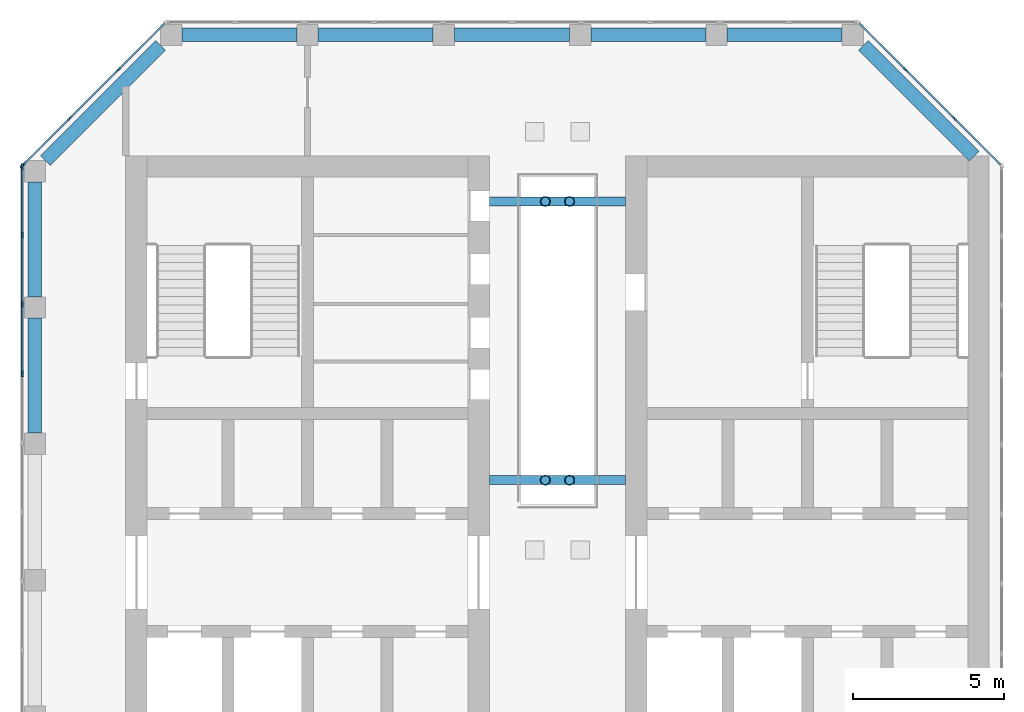
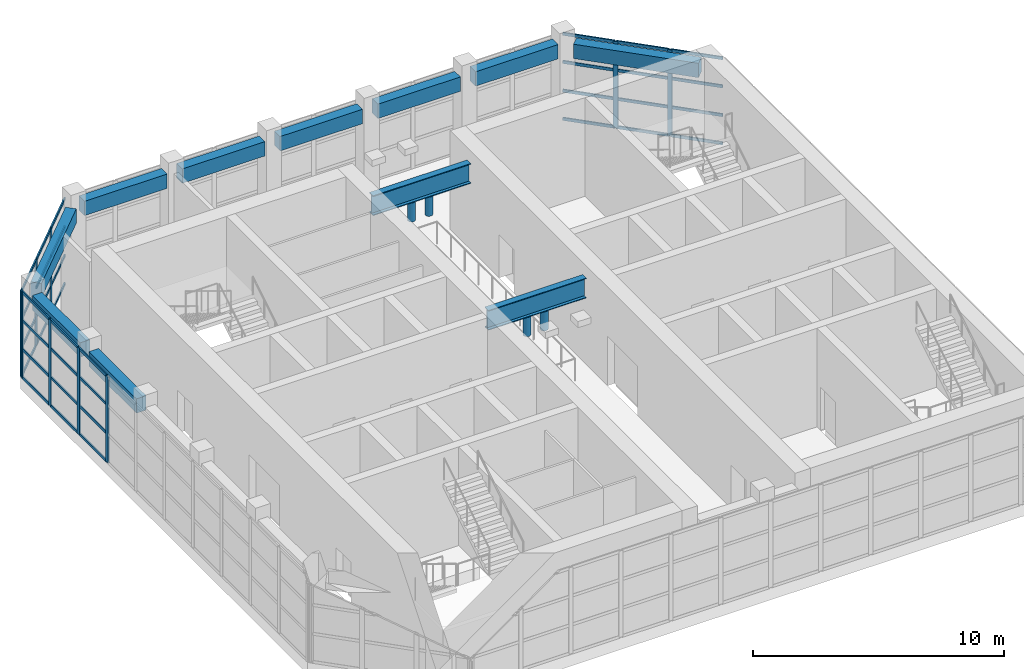
# One storey, part 4 of 13: 49 members, 11 beams, 3 elements without a shape of their own.
"""IFC4 building model written with IfcOpenShell, lengths in metres."""

from ifc_helpers import new_model, si_unit, direction, frame, origin, origin_2d, place, context, subcontext, project, spatial, rectangle, hollow_circle, i_section, extrude, material, material_profile, profile_set, type_object, element, aggregate, save


model = new_model("IFC4")

# Units and contexts
model_context = context("Model", 3, precision=1e-05, world=origin(), true_north=direction((0.0, 1.0)))
body_context = subcontext(model_context, "Body", "Model", "MODEL_VIEW")
ifc_project = project(units=[si_unit("LENGTHUNIT", "METRE"), si_unit("AREAUNIT", "SQUARE_METRE"), si_unit("VOLUMEUNIT", "CUBIC_METRE"), si_unit("PLANEANGLEUNIT", "RADIAN"), si_unit("MASSUNIT", "GRAM", prefix="KILO")], contexts=[model_context])

# Site, building, storey
site_placement = place(None, origin())
site = spatial("IfcSite", under=ifc_project, at=site_placement, CompositionType="ELEMENT")
building_placement = place(site_placement, origin())
building = spatial("IfcBuilding", under=site, at=building_placement, Name="Corbel Stack Research Tower", CompositionType="ELEMENT")
storey_placement = place(building_placement, frame((0.0, 0.0, 316.60009765625)))
storey = spatial("IfcBuildingStorey", under=building, at=storey_placement, Name="L71", CompositionType="ELEMENT", Elevation=316.60009765625)

# Curtain wall, members
ifc_material_1 = material(Name="Aluminium and glass", Category="aluminium")
curtain_wall_type = type_object("IfcCurtainWallType", Name="CW4C damper hall glazing wall, corner", PredefinedType="NOTDEFINED", material=ifc_material_1)
curtain_wall_1_placement = place(storey_placement, origin())
curtain_wall_1 = element("IfcCurtainWall", 1, at=curtain_wall_1_placement, inside=storey, type_object=curtain_wall_type, Name="Damper hall curtain wall L71 2", PredefinedType="NOTDEFINED")
ifc_material_2 = material(Name="Aluminium, anodised", Category="aluminium")
ifc_material_profile_1 = material_profile(ifc_material_2, rectangle(XDim=0.06005859375, YDim=0.199951171875, at=origin_2d()), Name="CW4 mullion 60 x 200")
ifc_profile_set_1 = profile_set([ifc_material_profile_1], Name="Aluminium, anodised")
member_type_1 = type_object("IfcMemberType", Name="CW4 mullion 60 x 200", PredefinedType="MULLION", material=ifc_profile_set_1)
member_1_placement = place(storey_placement, frame((-13.919921875, 11.319580078125, 0.0), z_axis=(0.0, 0.0, 1.0), x_axis=(-1.0, 0.0, 0.0)))
member_1 = element("IfcMember", 2, at=member_1_placement, type_object=member_type_1, Name="CW4C mullion 8", PredefinedType="MULLION", context=body_context, shape_type="SweptSolid", body=[
    extrude(rectangle(XDim=0.06005859375, YDim=0.199951171875, at=origin_2d()), origin(), (0.0, 0.0, 1.0), 4.199951171875),
])
member_2_placement = place(storey_placement, frame((-13.919921875, 13.6044921875, 0.0), z_axis=(0.0, 0.0, 1.0), x_axis=(-1.0, 0.0, 0.0)))
member_2 = element("IfcMember", 3, at=member_2_placement, type_object=member_type_1, Name="CW4C mullion 9", PredefinedType="MULLION", context=body_context, shape_type="SweptSolid", body=[
    extrude(rectangle(XDim=0.06005859375, YDim=0.199951171875, at=origin_2d()), origin(), (0.0, 0.0, 1.0), 4.199951171875),
])
member_3_placement = place(storey_placement, frame((-13.919921875, 15.88916015625, 0.0), z_axis=(0.0, 0.0, 1.0), x_axis=(-1.0, 0.0, 0.0)))
member_3 = element("IfcMember", 4, at=member_3_placement, type_object=member_type_1, Name="CW4C mullion 10", PredefinedType="MULLION", context=body_context, shape_type="SweptSolid", body=[
    extrude(rectangle(XDim=0.06005859375, YDim=0.199951171875, at=origin_2d()), origin(), (0.0, 0.0, 1.0), 4.199951171875),
])
member_4_placement = place(storey_placement, frame((-13.919921875, 18.14404296875, 0.0), z_axis=(0.0, 0.0, 1.0), x_axis=(-1.0, 0.0, 0.0)))
member_4 = element("IfcMember", 5, at=member_4_placement, type_object=member_type_1, Name="CW4C mullion 11", PredefinedType="MULLION", context=body_context, shape_type="SweptSolid", body=[
    extrude(rectangle(XDim=0.06005859375, YDim=0.199951171875, at=origin_2d()), origin(), (0.0, 0.0, 1.0), 4.199951171875),
])

curtain_wall_2_placement = place(storey_placement, origin())
curtain_wall_2 = element("IfcCurtainWall", 6, at=curtain_wall_2_placement, inside=storey, type_object=curtain_wall_type, Name="Damper hall curtain wall L71 3", PredefinedType="NOTDEFINED")
member_5_placement = place(storey_placement, frame((-13.898681640625, 18.1953125, 0.0), z_axis=(0.0, 0.0, 1.0), x_axis=(-0.707106781187, 0.707106781187, 0.0)))
member_5 = element("IfcMember", 7, at=member_5_placement, type_object=member_type_1, Name="CW4C mullion 1", PredefinedType="MULLION", context=body_context, shape_type="SweptSolid", body=[
    extrude(rectangle(XDim=0.06005859375, YDim=0.199951171875, at=origin_2d()), origin(), (0.0, 0.0, 1.0), 4.199951171875),
])
member_6_placement = place(storey_placement, frame((-12.337890625, 19.756103515625, 0.0), z_axis=(0.0, 0.0, 1.0), x_axis=(-0.707106781187, 0.707106781187, 0.0)))
member_6 = element("IfcMember", 8, at=member_6_placement, type_object=member_type_1, Name="CW4C mullion 2", PredefinedType="MULLION", context=body_context, shape_type="SweptSolid", body=[
    extrude(rectangle(XDim=0.06005859375, YDim=0.199951171875, at=origin_2d()), origin(), (0.0, 0.0, 1.0), 4.199951171875),
])
member_7_placement = place(storey_placement, frame((-10.756103515625, 21.337890625, 0.0), z_axis=(0.0, 0.0, 1.0), x_axis=(-0.707106781187, 0.707106781187, 0.0)))
member_7 = element("IfcMember", 9, at=member_7_placement, type_object=member_type_1, Name="CW4C mullion 3", PredefinedType="MULLION", context=body_context, shape_type="SweptSolid", body=[
    extrude(rectangle(XDim=0.06005859375, YDim=0.199951171875, at=origin_2d()), origin(), (0.0, 0.0, 1.0), 4.199951171875),
])

curtain_wall_3_placement = place(storey_placement, origin())
curtain_wall_3 = element("IfcCurtainWall", 10, at=curtain_wall_3_placement, inside=storey, type_object=curtain_wall_type, Name="Damper hall curtain wall L71 5", PredefinedType="NOTDEFINED")
member_8_placement = place(storey_placement, frame((15.256103515625, 21.337890625, 0.0), z_axis=(0.0, 0.0, 1.0), x_axis=(0.707106781187, 0.707106781187, 0.0)))
member_8 = element("IfcMember", 11, at=member_8_placement, type_object=member_type_1, Name="CW4C mullion 2", PredefinedType="MULLION", context=body_context, shape_type="SweptSolid", body=[
    extrude(rectangle(XDim=0.06005859375, YDim=0.199951171875, at=origin_2d()), origin(), (0.0, 0.0, 1.0), 4.199951171875),
])
member_9_placement = place(storey_placement, frame((16.837890625, 19.756103515625, 0.0), z_axis=(0.0, 0.0, 1.0), x_axis=(0.707106781187, 0.707106781187, 0.0)))
member_9 = element("IfcMember", 12, at=member_9_placement, type_object=member_type_1, Name="CW4C mullion 3", PredefinedType="MULLION", context=body_context, shape_type="SweptSolid", body=[
    extrude(rectangle(XDim=0.06005859375, YDim=0.199951171875, at=origin_2d()), origin(), (0.0, 0.0, 1.0), 4.199951171875),
])

# Member
ifc_material_3 = material(Name="Aluminium, anodised", Category="aluminium")
ifc_material_profile_2 = material_profile(ifc_material_3, rectangle(XDim=0.06005859375, YDim=0.139892578125, at=origin_2d()), Name="CW4 transom 60 x 140")
ifc_profile_set_2 = profile_set([ifc_material_profile_2], Name="Aluminium, anodised")
member_type_2 = type_object("IfcMemberType", Name="CW4 transom 60 x 140", PredefinedType="USERDEFINED", material=ifc_profile_set_2)
member_10_placement = place(storey_placement, frame((-13.919921875, 11.349609375, 0.02978515625), z_axis=(0.0, 1.0, 0.0), x_axis=(-1.0, 0.0, 0.0)))
member_10 = element("IfcMember", 13, at=member_10_placement, type_object=member_type_2, Name="CW4C transom 8.1", ObjectType="TRANSOM", PredefinedType="USERDEFINED", context=body_context, shape_type="SweptSolid", body=[
    extrude(rectangle(XDim=0.06005859375, YDim=0.139892578125, at=origin_2d()), origin(), (0.0, 0.0, 1.0), 2.224853515625),
])

member_11_placement = place(storey_placement, frame((-13.919921875, 11.349609375, 1.39990234375), z_axis=(0.0, 1.0, 0.0), x_axis=(-1.0, 0.0, 0.0)))
member_11 = element("IfcMember", 14, at=member_11_placement, type_object=member_type_2, Name="CW4C transom 8.2", ObjectType="TRANSOM", PredefinedType="USERDEFINED", context=body_context, shape_type="SweptSolid", body=[
    extrude(rectangle(XDim=0.06005859375, YDim=0.139892578125, at=origin_2d()), origin(), (0.0, 0.0, 1.0), 2.224853515625),
])

member_12_placement = place(storey_placement, frame((-13.919921875, 11.349609375, 2.7998046875), z_axis=(0.0, 1.0, 0.0), x_axis=(-1.0, 0.0, 0.0)))
member_12 = element("IfcMember", 15, at=member_12_placement, type_object=member_type_2, Name="CW4C transom 8.3", ObjectType="TRANSOM", PredefinedType="USERDEFINED", context=body_context, shape_type="SweptSolid", body=[
    extrude(rectangle(XDim=0.06005859375, YDim=0.139892578125, at=origin_2d()), origin(), (0.0, 0.0, 1.0), 2.224853515625),
])

member_13_placement = place(storey_placement, frame((-13.919921875, 11.349609375, 4.169921875), z_axis=(0.0, 1.0, 0.0), x_axis=(-1.0, 0.0, 0.0)))
member_13 = element("IfcMember", 16, at=member_13_placement, type_object=member_type_2, Name="CW4C transom 8.4", ObjectType="TRANSOM", PredefinedType="USERDEFINED", context=body_context, shape_type="SweptSolid", body=[
    extrude(rectangle(XDim=0.06005859375, YDim=0.139892578125, at=origin_2d()), origin(), (0.0, 0.0, 1.0), 2.224853515625),
])

member_14_placement = place(storey_placement, frame((-13.919921875, 13.634521484375, 0.02978515625), z_axis=(0.0, 1.0, 0.0), x_axis=(-1.0, 0.0, 0.0)))
member_14 = element("IfcMember", 17, at=member_14_placement, type_object=member_type_2, Name="CW4C transom 9.1", ObjectType="TRANSOM", PredefinedType="USERDEFINED", context=body_context, shape_type="SweptSolid", body=[
    extrude(rectangle(XDim=0.06005859375, YDim=0.139892578125, at=origin_2d()), origin(), (0.0, 0.0, 1.0), 2.224609375),
])

member_15_placement = place(storey_placement, frame((-13.919921875, 13.634521484375, 1.39990234375), z_axis=(0.0, 1.0, 0.0), x_axis=(-1.0, 0.0, 0.0)))
member_15 = element("IfcMember", 18, at=member_15_placement, type_object=member_type_2, Name="CW4C transom 9.2", ObjectType="TRANSOM", PredefinedType="USERDEFINED", context=body_context, shape_type="SweptSolid", body=[
    extrude(rectangle(XDim=0.06005859375, YDim=0.139892578125, at=origin_2d()), origin(), (0.0, 0.0, 1.0), 2.224609375),
])

member_16_placement = place(storey_placement, frame((-13.919921875, 13.634521484375, 2.7998046875), z_axis=(0.0, 1.0, 0.0), x_axis=(-1.0, 0.0, 0.0)))
member_16 = element("IfcMember", 19, at=member_16_placement, type_object=member_type_2, Name="CW4C transom 9.3", ObjectType="TRANSOM", PredefinedType="USERDEFINED", context=body_context, shape_type="SweptSolid", body=[
    extrude(rectangle(XDim=0.06005859375, YDim=0.139892578125, at=origin_2d()), origin(), (0.0, 0.0, 1.0), 2.224609375),
])

member_17_placement = place(storey_placement, frame((-13.919921875, 13.634521484375, 4.169921875), z_axis=(0.0, 1.0, 0.0), x_axis=(-1.0, 0.0, 0.0)))
member_17 = element("IfcMember", 20, at=member_17_placement, type_object=member_type_2, Name="CW4C transom 9.4", ObjectType="TRANSOM", PredefinedType="USERDEFINED", context=body_context, shape_type="SweptSolid", body=[
    extrude(rectangle(XDim=0.06005859375, YDim=0.139892578125, at=origin_2d()), origin(), (0.0, 0.0, 1.0), 2.224609375),
])

member_18_placement = place(storey_placement, frame((-13.919921875, 15.919189453125, 0.02978515625), z_axis=(0.0, 1.0, 0.0), x_axis=(-1.0, 0.0, 0.0)))
member_18 = element("IfcMember", 21, at=member_18_placement, type_object=member_type_2, Name="CW4C transom 10.1", ObjectType="TRANSOM", PredefinedType="USERDEFINED", context=body_context, shape_type="SweptSolid", body=[
    extrude(rectangle(XDim=0.06005859375, YDim=0.139892578125, at=origin_2d()), origin(), (0.0, 0.0, 1.0), 2.19482421875),
])

member_19_placement = place(storey_placement, frame((-13.919921875, 15.919189453125, 1.39990234375), z_axis=(0.0, 1.0, 0.0), x_axis=(-1.0, 0.0, 0.0)))
member_19 = element("IfcMember", 22, at=member_19_placement, type_object=member_type_2, Name="CW4C transom 10.2", ObjectType="TRANSOM", PredefinedType="USERDEFINED", context=body_context, shape_type="SweptSolid", body=[
    extrude(rectangle(XDim=0.06005859375, YDim=0.139892578125, at=origin_2d()), origin(), (0.0, 0.0, 1.0), 2.19482421875),
])

member_20_placement = place(storey_placement, frame((-13.919921875, 15.919189453125, 2.7998046875), z_axis=(0.0, 1.0, 0.0), x_axis=(-1.0, 0.0, 0.0)))
member_20 = element("IfcMember", 23, at=member_20_placement, type_object=member_type_2, Name="CW4C transom 10.3", ObjectType="TRANSOM", PredefinedType="USERDEFINED", context=body_context, shape_type="SweptSolid", body=[
    extrude(rectangle(XDim=0.06005859375, YDim=0.139892578125, at=origin_2d()), origin(), (0.0, 0.0, 1.0), 2.19482421875),
])

member_21_placement = place(storey_placement, frame((-13.919921875, 15.919189453125, 4.169921875), z_axis=(0.0, 1.0, 0.0), x_axis=(-1.0, 0.0, 0.0)))
member_21 = element("IfcMember", 24, at=member_21_placement, type_object=member_type_2, Name="CW4C transom 10.4", ObjectType="TRANSOM", PredefinedType="USERDEFINED", context=body_context, shape_type="SweptSolid", body=[
    extrude(rectangle(XDim=0.06005859375, YDim=0.139892578125, at=origin_2d()), origin(), (0.0, 0.0, 1.0), 2.19482421875),
])

aggregate(curtain_wall_1, [member_1, member_2, member_3, member_4, member_10, member_11, member_12, member_13, member_14, member_15, member_16, member_17, member_18, member_19, member_20, member_21])

member_22_placement = place(storey_placement, frame((-13.877685546875, 18.21630859375, 0.02978515625), z_axis=(0.707106781187, 0.707106781187, 0.0), x_axis=(-0.707106781187, 0.707106781187, 0.0)))
member_22 = element("IfcMember", 25, at=member_22_placement, type_object=member_type_2, Name="CW4C transom 1.1", ObjectType="TRANSOM", PredefinedType="USERDEFINED", context=body_context, shape_type="SweptSolid", body=[
    extrude(rectangle(XDim=0.06005859375, YDim=0.139892578125, at=origin_2d()), origin(), (0.0, 0.0, 1.0), 2.1474609375),
])

member_23_placement = place(storey_placement, frame((-13.877685546875, 18.21630859375, 1.39990234375), z_axis=(0.707106781187, 0.707106781187, 0.0), x_axis=(-0.707106781187, 0.707106781187, 0.0)))
member_23 = element("IfcMember", 26, at=member_23_placement, type_object=member_type_2, Name="CW4C transom 1.2", ObjectType="TRANSOM", PredefinedType="USERDEFINED", context=body_context, shape_type="SweptSolid", body=[
    extrude(rectangle(XDim=0.06005859375, YDim=0.139892578125, at=origin_2d()), origin(), (0.0, 0.0, 1.0), 2.1474609375),
])

member_24_placement = place(storey_placement, frame((-13.877685546875, 18.21630859375, 2.7998046875), z_axis=(0.707106781187, 0.707106781187, 0.0), x_axis=(-0.707106781187, 0.707106781187, 0.0)))
member_24 = element("IfcMember", 27, at=member_24_placement, type_object=member_type_2, Name="CW4C transom 1.3", ObjectType="TRANSOM", PredefinedType="USERDEFINED", context=body_context, shape_type="SweptSolid", body=[
    extrude(rectangle(XDim=0.06005859375, YDim=0.139892578125, at=origin_2d()), origin(), (0.0, 0.0, 1.0), 2.1474609375),
])

member_25_placement = place(storey_placement, frame((-13.877685546875, 18.21630859375, 4.169921875), z_axis=(0.707106781187, 0.707106781187, 0.0), x_axis=(-0.707106781187, 0.707106781187, 0.0)))
member_25 = element("IfcMember", 28, at=member_25_placement, type_object=member_type_2, Name="CW4C transom 1.4", ObjectType="TRANSOM", PredefinedType="USERDEFINED", context=body_context, shape_type="SweptSolid", body=[
    extrude(rectangle(XDim=0.06005859375, YDim=0.139892578125, at=origin_2d()), origin(), (0.0, 0.0, 1.0), 2.1474609375),
])

member_26_placement = place(storey_placement, frame((-12.31689453125, 19.777099609375, 0.02978515625), z_axis=(0.707106781187, 0.707106781187, 0.0), x_axis=(-0.707106781187, 0.707106781187, 0.0)))
member_26 = element("IfcMember", 29, at=member_26_placement, type_object=member_type_2, Name="CW4C transom 2.1", ObjectType="TRANSOM", PredefinedType="USERDEFINED", context=body_context, shape_type="SweptSolid", body=[
    extrude(rectangle(XDim=0.06005859375, YDim=0.139892578125, at=origin_2d()), origin(), (0.0, 0.0, 1.0), 2.177490234375),
])

member_27_placement = place(storey_placement, frame((-12.31689453125, 19.777099609375, 1.39990234375), z_axis=(0.707106781187, 0.707106781187, 0.0), x_axis=(-0.707106781187, 0.707106781187, 0.0)))
member_27 = element("IfcMember", 30, at=member_27_placement, type_object=member_type_2, Name="CW4C transom 2.2", ObjectType="TRANSOM", PredefinedType="USERDEFINED", context=body_context, shape_type="SweptSolid", body=[
    extrude(rectangle(XDim=0.06005859375, YDim=0.139892578125, at=origin_2d()), origin(), (0.0, 0.0, 1.0), 2.177490234375),
])

member_28_placement = place(storey_placement, frame((-12.31689453125, 19.777099609375, 2.7998046875), z_axis=(0.707106781187, 0.707106781187, 0.0), x_axis=(-0.707106781187, 0.707106781187, 0.0)))
member_28 = element("IfcMember", 31, at=member_28_placement, type_object=member_type_2, Name="CW4C transom 2.3", ObjectType="TRANSOM", PredefinedType="USERDEFINED", context=body_context, shape_type="SweptSolid", body=[
    extrude(rectangle(XDim=0.06005859375, YDim=0.139892578125, at=origin_2d()), origin(), (0.0, 0.0, 1.0), 2.177490234375),
])

member_29_placement = place(storey_placement, frame((-12.31689453125, 19.777099609375, 4.169921875), z_axis=(0.707106781187, 0.707106781187, 0.0), x_axis=(-0.707106781187, 0.707106781187, 0.0)))
member_29 = element("IfcMember", 32, at=member_29_placement, type_object=member_type_2, Name="CW4C transom 2.4", ObjectType="TRANSOM", PredefinedType="USERDEFINED", context=body_context, shape_type="SweptSolid", body=[
    extrude(rectangle(XDim=0.06005859375, YDim=0.139892578125, at=origin_2d()), origin(), (0.0, 0.0, 1.0), 2.177490234375),
])

member_30_placement = place(storey_placement, frame((-10.73486328125, 21.359130859375, 0.02978515625), z_axis=(0.707106781187, 0.707106781187, 0.0), x_axis=(-0.707106781187, 0.707106781187, 0.0)))
member_30 = element("IfcMember", 33, at=member_30_placement, type_object=member_type_2, Name="CW4C transom 3.1", ObjectType="TRANSOM", PredefinedType="USERDEFINED", context=body_context, shape_type="SweptSolid", body=[
    extrude(rectangle(XDim=0.06005859375, YDim=0.139892578125, at=origin_2d()), origin(), (0.0, 0.0, 1.0), 2.1474609375),
])

member_31_placement = place(storey_placement, frame((-10.73486328125, 21.359130859375, 1.39990234375), z_axis=(0.707106781187, 0.707106781187, 0.0), x_axis=(-0.707106781187, 0.707106781187, 0.0)))
member_31 = element("IfcMember", 34, at=member_31_placement, type_object=member_type_2, Name="CW4C transom 3.2", ObjectType="TRANSOM", PredefinedType="USERDEFINED", context=body_context, shape_type="SweptSolid", body=[
    extrude(rectangle(XDim=0.06005859375, YDim=0.139892578125, at=origin_2d()), origin(), (0.0, 0.0, 1.0), 2.1474609375),
])

member_32_placement = place(storey_placement, frame((-10.73486328125, 21.359130859375, 2.7998046875), z_axis=(0.707106781187, 0.707106781187, 0.0), x_axis=(-0.707106781187, 0.707106781187, 0.0)))
member_32 = element("IfcMember", 35, at=member_32_placement, type_object=member_type_2, Name="CW4C transom 3.3", ObjectType="TRANSOM", PredefinedType="USERDEFINED", context=body_context, shape_type="SweptSolid", body=[
    extrude(rectangle(XDim=0.06005859375, YDim=0.139892578125, at=origin_2d()), origin(), (0.0, 0.0, 1.0), 2.1474609375),
])

member_33_placement = place(storey_placement, frame((-10.73486328125, 21.359130859375, 4.169921875), z_axis=(0.707106781187, 0.707106781187, 0.0), x_axis=(-0.707106781187, 0.707106781187, 0.0)))
member_33 = element("IfcMember", 36, at=member_33_placement, type_object=member_type_2, Name="CW4C transom 3.4", ObjectType="TRANSOM", PredefinedType="USERDEFINED", context=body_context, shape_type="SweptSolid", body=[
    extrude(rectangle(XDim=0.06005859375, YDim=0.139892578125, at=origin_2d()), origin(), (0.0, 0.0, 1.0), 2.1474609375),
])

aggregate(curtain_wall_2, [member_5, member_6, member_7, member_22, member_23, member_24, member_25, member_26, member_27, member_28, member_29, member_30, member_31, member_32, member_33])

member_34_placement = place(storey_placement, frame((13.71630859375, 22.877685546875, 0.02978515625), z_axis=(0.707106781187, -0.707106781187, 0.0), x_axis=(0.707106781187, 0.707106781187, 0.0)))
member_34 = element("IfcMember", 37, at=member_34_placement, type_object=member_type_2, Name="CW4C transom 1.1", ObjectType="TRANSOM", PredefinedType="USERDEFINED", context=body_context, shape_type="SweptSolid", body=[
    extrude(rectangle(XDim=0.06005859375, YDim=0.139892578125, at=origin_2d()), origin(), (0.0, 0.0, 1.0), 2.1474609375),
])

member_35_placement = place(storey_placement, frame((13.71630859375, 22.877685546875, 1.39990234375), z_axis=(0.707106781187, -0.707106781187, 0.0), x_axis=(0.707106781187, 0.707106781187, 0.0)))
member_35 = element("IfcMember", 38, at=member_35_placement, type_object=member_type_2, Name="CW4C transom 1.2", ObjectType="TRANSOM", PredefinedType="USERDEFINED", context=body_context, shape_type="SweptSolid", body=[
    extrude(rectangle(XDim=0.06005859375, YDim=0.139892578125, at=origin_2d()), origin(), (0.0, 0.0, 1.0), 2.1474609375),
])

member_36_placement = place(storey_placement, frame((13.71630859375, 22.877685546875, 2.7998046875), z_axis=(0.707106781187, -0.707106781187, 0.0), x_axis=(0.707106781187, 0.707106781187, 0.0)))
member_36 = element("IfcMember", 39, at=member_36_placement, type_object=member_type_2, Name="CW4C transom 1.3", ObjectType="TRANSOM", PredefinedType="USERDEFINED", context=body_context, shape_type="SweptSolid", body=[
    extrude(rectangle(XDim=0.06005859375, YDim=0.139892578125, at=origin_2d()), origin(), (0.0, 0.0, 1.0), 2.1474609375),
])

member_37_placement = place(storey_placement, frame((13.71630859375, 22.877685546875, 4.169921875), z_axis=(0.707106781187, -0.707106781187, 0.0), x_axis=(0.707106781187, 0.707106781187, 0.0)))
member_37 = element("IfcMember", 40, at=member_37_placement, type_object=member_type_2, Name="CW4C transom 1.4", ObjectType="TRANSOM", PredefinedType="USERDEFINED", context=body_context, shape_type="SweptSolid", body=[
    extrude(rectangle(XDim=0.06005859375, YDim=0.139892578125, at=origin_2d()), origin(), (0.0, 0.0, 1.0), 2.1474609375),
])

member_38_placement = place(storey_placement, frame((15.277099609375, 21.31689453125, 0.02978515625), z_axis=(0.707106781187, -0.707106781187, 0.0), x_axis=(0.707106781187, 0.707106781187, 0.0)))
member_38 = element("IfcMember", 41, at=member_38_placement, type_object=member_type_2, Name="CW4C transom 2.1", ObjectType="TRANSOM", PredefinedType="USERDEFINED", context=body_context, shape_type="SweptSolid", body=[
    extrude(rectangle(XDim=0.06005859375, YDim=0.139892578125, at=origin_2d()), origin(), (0.0, 0.0, 1.0), 2.177490234375),
])

member_39_placement = place(storey_placement, frame((15.277099609375, 21.31689453125, 1.39990234375), z_axis=(0.707106781187, -0.707106781187, 0.0), x_axis=(0.707106781187, 0.707106781187, 0.0)))
member_39 = element("IfcMember", 42, at=member_39_placement, type_object=member_type_2, Name="CW4C transom 2.2", ObjectType="TRANSOM", PredefinedType="USERDEFINED", context=body_context, shape_type="SweptSolid", body=[
    extrude(rectangle(XDim=0.06005859375, YDim=0.139892578125, at=origin_2d()), origin(), (0.0, 0.0, 1.0), 2.177490234375),
])

member_40_placement = place(storey_placement, frame((15.277099609375, 21.31689453125, 2.7998046875), z_axis=(0.707106781187, -0.707106781187, 0.0), x_axis=(0.707106781187, 0.707106781187, 0.0)))
member_40 = element("IfcMember", 43, at=member_40_placement, type_object=member_type_2, Name="CW4C transom 2.3", ObjectType="TRANSOM", PredefinedType="USERDEFINED", context=body_context, shape_type="SweptSolid", body=[
    extrude(rectangle(XDim=0.06005859375, YDim=0.139892578125, at=origin_2d()), origin(), (0.0, 0.0, 1.0), 2.177490234375),
])

member_41_placement = place(storey_placement, frame((15.277099609375, 21.31689453125, 4.169921875), z_axis=(0.707106781187, -0.707106781187, 0.0), x_axis=(0.707106781187, 0.707106781187, 0.0)))
member_41 = element("IfcMember", 44, at=member_41_placement, type_object=member_type_2, Name="CW4C transom 2.4", ObjectType="TRANSOM", PredefinedType="USERDEFINED", context=body_context, shape_type="SweptSolid", body=[
    extrude(rectangle(XDim=0.06005859375, YDim=0.139892578125, at=origin_2d()), origin(), (0.0, 0.0, 1.0), 2.177490234375),
])

member_42_placement = place(storey_placement, frame((16.859130859375, 19.73486328125, 0.02978515625), z_axis=(0.707106781187, -0.707106781187, 0.0), x_axis=(0.707106781187, 0.707106781187, 0.0)))
member_42 = element("IfcMember", 45, at=member_42_placement, type_object=member_type_2, Name="CW4C transom 3.1", ObjectType="TRANSOM", PredefinedType="USERDEFINED", context=body_context, shape_type="SweptSolid", body=[
    extrude(rectangle(XDim=0.06005859375, YDim=0.139892578125, at=origin_2d()), origin(), (0.0, 0.0, 1.0), 2.1474609375),
])

member_43_placement = place(storey_placement, frame((16.859130859375, 19.73486328125, 1.39990234375), z_axis=(0.707106781187, -0.707106781187, 0.0), x_axis=(0.707106781187, 0.707106781187, 0.0)))
member_43 = element("IfcMember", 46, at=member_43_placement, type_object=member_type_2, Name="CW4C transom 3.2", ObjectType="TRANSOM", PredefinedType="USERDEFINED", context=body_context, shape_type="SweptSolid", body=[
    extrude(rectangle(XDim=0.06005859375, YDim=0.139892578125, at=origin_2d()), origin(), (0.0, 0.0, 1.0), 2.1474609375),
])

member_44_placement = place(storey_placement, frame((16.859130859375, 19.73486328125, 2.7998046875), z_axis=(0.707106781187, -0.707106781187, 0.0), x_axis=(0.707106781187, 0.707106781187, 0.0)))
member_44 = element("IfcMember", 47, at=member_44_placement, type_object=member_type_2, Name="CW4C transom 3.3", ObjectType="TRANSOM", PredefinedType="USERDEFINED", context=body_context, shape_type="SweptSolid", body=[
    extrude(rectangle(XDim=0.06005859375, YDim=0.139892578125, at=origin_2d()), origin(), (0.0, 0.0, 1.0), 2.1474609375),
])

member_45_placement = place(storey_placement, frame((16.859130859375, 19.73486328125, 4.169921875), z_axis=(0.707106781187, -0.707106781187, 0.0), x_axis=(0.707106781187, 0.707106781187, 0.0)))
member_45 = element("IfcMember", 48, at=member_45_placement, type_object=member_type_2, Name="CW4C transom 3.4", ObjectType="TRANSOM", PredefinedType="USERDEFINED", context=body_context, shape_type="SweptSolid", body=[
    extrude(rectangle(XDim=0.06005859375, YDim=0.139892578125, at=origin_2d()), origin(), (0.0, 0.0, 1.0), 2.1474609375),
])

aggregate(curtain_wall_3, [member_8, member_9, member_34, member_35, member_36, member_37, member_38, member_39, member_40, member_41, member_42, member_43, member_44, member_45])

# Beams
ifc_material_4 = material(Name="Steel S355", Category="steel")
ifc_material_profile_3 = material_profile(ifc_material_4, i_section(OverallWidth=0.2939453125, OverallDepth=0.969970703125, WebThickness=0.01904296875, FlangeThickness=0.035888671875, at=origin_2d()), Name="W40x249")
ifc_profile_set_3 = profile_set([ifc_material_profile_3], Name="Steel S355")
beam_type_1 = type_object("IfcBeamType", Name="Damper support girder W40x249", PredefinedType="BEAM", material=ifc_profile_set_3)
for number, where, z_axis, x_axis, name in (
    (49, (1.5, 7.800048828125, 3.71484375), (1.0, 0.0, 0.0), (0.0, 1.0, 0.0), "Damper support girder 1"),
    (50, (1.5, 17.0, 3.71484375), (1.0, 0.0, 0.0), (0.0, 1.0, 0.0), "Damper support girder 2"),
):
    element("IfcBeam", number, at=place(storey_placement, frame(where, z_axis=z_axis, x_axis=x_axis)), inside=storey, type_object=beam_type_1, Name=name, PredefinedType="BEAM", context=body_context, shape_type="SweptSolid", body=[
        extrude(i_section(OverallWidth=0.2939453125, OverallDepth=0.969970703125, WebThickness=0.01904296875, FlangeThickness=0.035888671875, at=origin_2d()), origin(), (0.0, 0.0, 1.0), 4.5),
    ])

# Members
ifc_material_5 = material(Name="Steel S355", Category="steel")
ifc_material_profile_4 = material_profile(ifc_material_5, hollow_circle(Radius=0.161865234375, WallThickness=0.0126953125, at=origin_2d()), Name="Pipe 12 XS")
ifc_profile_set_4 = profile_set([ifc_material_profile_4], Name="Steel S355")
member_type_3 = type_object("IfcMemberType", Name="Pendulum hanger Pipe 12 XS", PredefinedType="USERDEFINED", material=ifc_profile_set_4)
for number, where, z_axis, x_axis, name in (
    (51, (3.35009765625, 7.800048828125, 2.2998046875), (0.0, 0.0, 1.0), (1.0, 0.0, 0.0), "Pendulum hanger 1"),
    (52, (4.14990234375, 7.800048828125, 2.2998046875), (0.0, 0.0, 1.0), (1.0, 0.0, 0.0), "Pendulum hanger 2"),
    (53, (3.35009765625, 17.0, 2.2998046875), (0.0, 0.0, 1.0), (1.0, 0.0, 0.0), "Pendulum hanger 3"),
    (54, (4.14990234375, 17.0, 2.2998046875), (0.0, 0.0, 1.0), (1.0, 0.0, 0.0), "Pendulum hanger 4"),
):
    element("IfcMember", number, at=place(storey_placement, frame(where, z_axis=z_axis, x_axis=x_axis)), inside=storey, type_object=member_type_3, Name=name, ObjectType="PENDULUM HANGER", PredefinedType="USERDEFINED", context=body_context, shape_type="SweptSolid", body=[
        extrude(hollow_circle(Radius=0.161865234375, WallThickness=0.0126953125, at=origin_2d()), origin(), (0.0, 0.0, 1.0), 0.93017578125),
    ])

# Beams
ifc_material_6 = material(Name="Concrete C60/75", Category="concrete")
ifc_material_profile_5 = material_profile(ifc_material_6, rectangle(XDim=0.449951171875, YDim=0.699951171875, at=origin_2d()), Name="RC 450 x 700")
ifc_profile_set_5 = profile_set([ifc_material_profile_5], Name="Concrete C60/75")
beam_type_2 = type_object("IfcBeamType", Name="SB-450-700", PredefinedType="SPANDREL", material=ifc_profile_set_5)
beam_1_placement = place(storey_placement, frame((17.5, 18.5, 3.849853515625), z_axis=(-0.707106781187, 0.707106781187, 0.0), x_axis=(-0.707106781187, -0.707106781187, 0.0)))
element("IfcBeam", 55, at=beam_1_placement, inside=storey, type_object=beam_type_2, Name="Spandrel beam L71-03", PredefinedType="SPANDREL", context=body_context, shape_type="SweptSolid", body=[
    extrude(rectangle(XDim=0.449951171875, YDim=0.699951171875, at=origin_2d()), origin(), (0.0, 0.0, 1.0), 5.16162109375),
])
for number, where, z_axis, x_axis, name in (
    (56, (13.14990234375, 22.5, 3.849853515625), (-1.0, 0.0, 0.0), (0.0, -1.0, 0.0), "Spandrel beam L71-04"),
    (57, (8.64990234375, 22.5, 3.849853515625), (-1.0, 0.0, 0.0), (0.0, -1.0, 0.0), "Spandrel beam L71-05"),
    (58, (4.14990234375, 22.5, 3.849853515625), (-1.0, 0.0, 0.0), (0.0, -1.0, 0.0), "Spandrel beam L71-06"),
    (59, (-0.35009765625, 22.5, 3.849853515625), (-1.0, 0.0, 0.0), (0.0, -1.0, 0.0), "Spandrel beam L71-07"),
    (60, (-4.85009765625, 22.5, 3.849853515625), (-1.0, 0.0, 0.0), (0.0, -1.0, 0.0), "Spandrel beam L71-08"),
):
    element("IfcBeam", number, at=place(storey_placement, frame(where, z_axis=z_axis, x_axis=x_axis)), inside=storey, type_object=beam_type_2, Name=name, PredefinedType="SPANDREL", context=body_context, shape_type="SweptSolid", body=[
        extrude(rectangle(XDim=0.449951171875, YDim=0.699951171875, at=origin_2d()), origin(), (0.0, 0.0, 1.0), 3.7998046875),
    ])
beam_2_placement = place(storey_placement, frame((-9.35009765625, 22.14990234375, 3.849853515625), z_axis=(-0.707106781187, -0.707106781187, 0.0), x_axis=(0.707106781187, -0.707106781187, 0.0)))
element("IfcBeam", 61, at=beam_2_placement, inside=storey, type_object=beam_type_2, Name="Spandrel beam L71-09", PredefinedType="SPANDREL", context=body_context, shape_type="SweptSolid", body=[
    extrude(rectangle(XDim=0.449951171875, YDim=0.699951171875, at=origin_2d()), origin(), (0.0, 0.0, 1.0), 5.373779296875),
])
for number, where, z_axis, x_axis, name in (
    (62, (-13.5, 17.64990234375, 3.849853515625), (0.0, -1.0, 0.0), (1.0, 0.0, 0.0), "Spandrel beam L71-10"),
    (63, (-13.5, 13.14990234375, 3.849853515625), (0.0, -1.0, 0.0), (1.0, 0.0, 0.0), "Spandrel beam L71-11"),
):
    element("IfcBeam", number, at=place(storey_placement, frame(where, z_axis=z_axis, x_axis=x_axis)), inside=storey, type_object=beam_type_2, Name=name, PredefinedType="SPANDREL", context=body_context, shape_type="SweptSolid", body=[
        extrude(rectangle(XDim=0.449951171875, YDim=0.699951171875, at=origin_2d()), origin(), (0.0, 0.0, 1.0), 3.7998046875),
    ])

save(model, "model.ifc")
